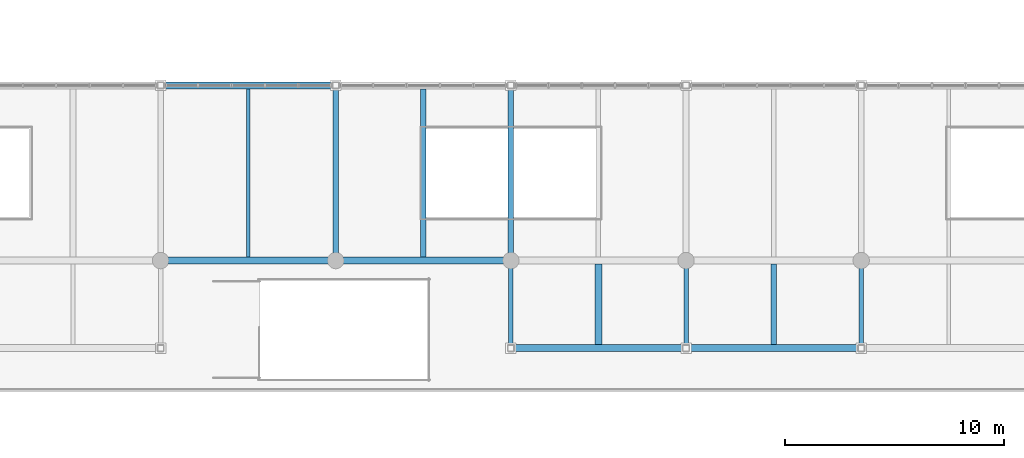
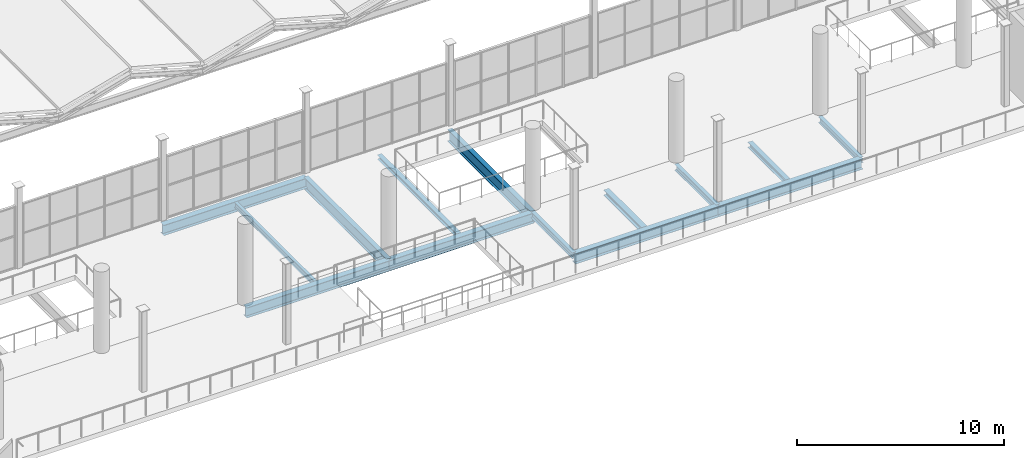
# One storey, part 37 of 114: 14 beams.
"""IFC4 building model written with IfcOpenShell, lengths in metres."""

from ifc_helpers import new_model, si_unit, direction, frame, origin, origin_2d, place, context, subcontext, project, spatial, i_section, extrude, material, material_profile, profile_set, type_object, element, save


model = new_model("IFC4")

# Units and contexts
model_context = context("Model", 3, precision=1e-05, world=origin(), true_north=direction((0.0, 1.0)))
body_context = subcontext(model_context, "Body", "Model", "MODEL_VIEW")
ifc_project = project(units=[si_unit("LENGTHUNIT", "METRE"), si_unit("AREAUNIT", "SQUARE_METRE"), si_unit("VOLUMEUNIT", "CUBIC_METRE"), si_unit("PLANEANGLEUNIT", "RADIAN"), si_unit("MASSUNIT", "GRAM", prefix="KILO")], contexts=[model_context])

# Site, building, storey
site_placement = place(None, origin())
site = spatial("IfcSite", under=ifc_project, at=site_placement, CompositionType="ELEMENT")
building_placement = place(site_placement, origin())
building = spatial("IfcBuilding", under=site, at=building_placement, Name="Verrall Gate Interchange", CompositionType="ELEMENT")
storey_placement = place(building_placement, frame((0.0, 0.0, 6.60009765625)))
storey = spatial("IfcBuildingStorey", under=building, at=storey_placement, Name="L02", CompositionType="ELEMENT", Elevation=6.60009765625)

# Beams
ifc_material_1 = material(Name="Structural Steel CSA G40.21 350WT Cat 4", Category="steel")
ifc_material_profile_1 = material_profile(ifc_material_1, i_section(OverallWidth=0.256103515625, OverallDepth=0.693115234375, WebThickness=0.01318359375, FlangeThickness=0.02001953125, FilletRadius=0.01611328125, at=origin_2d()), Name="W690x170")
ifc_profile_set_1 = profile_set([ifc_material_profile_1], Name="Structural Steel CSA G40.21 350WT Cat 4")
beam_type_1 = type_object("IfcBeamType", Name="B-07 Structural Beam W690x170", PredefinedType="BEAM", material=ifc_profile_set_1)
for number, where, z_axis, x_axis, name in (
    (1, (68.0, 48.0, -0.626708984375), (0.0, 1.0, 0.0), (-1.0, 0.0, 0.0), "L02 Girder BM-L02-1750 (B-07)"),
    (2, (76.0, 48.0, -0.626708984375), (0.0, 1.0, 0.0), (-1.0, 0.0, 0.0), "L02 Girder BM-L02-1755 (B-07)"),
):
    element("IfcBeam", number, at=place(storey_placement, frame(where, z_axis=z_axis, x_axis=x_axis)), inside=storey, type_object=beam_type_1, Name=name, PredefinedType="BEAM", context=body_context, shape_type="SweptSolid", body=[
        extrude(i_section(OverallWidth=0.256103515625, OverallDepth=0.693115234375, WebThickness=0.01318359375, FlangeThickness=0.02001953125, FilletRadius=0.01611328125, at=origin_2d()), origin(), (0.0, 0.0, 1.0), 8.0),
    ])
ifc_material_2 = material(Name="Structural Steel CSA G40.21 350WT Cat 4", Category="steel")
ifc_material_profile_2 = material_profile(ifc_material_2, i_section(OverallWidth=0.323974609375, OverallDepth=0.611083984375, WebThickness=0.0126953125, FlangeThickness=0.01904296875, FilletRadius=0.014892578125, at=origin_2d()), Name="W610x155")
ifc_profile_set_2 = profile_set([ifc_material_profile_2], Name="Structural Steel CSA G40.21 350WT Cat 4")
beam_type_2 = type_object("IfcBeamType", Name="B-08 Structural Beam W610x155", PredefinedType="BEAM", material=ifc_profile_set_2)
for number, where, z_axis, x_axis, name in (
    (3, (76.0, 44.0, -0.585693359375), (1.0, 0.0, 0.0), (0.0, 1.0, 0.0), "L02 Girder BM-L02-1554 (B-08)"),
    (4, (84.0, 44.0, -0.585693359375), (1.0, 0.0, 0.0), (0.0, 1.0, 0.0), "L02 Girder BM-L02-1555 (B-08)"),
    (5, (60.0, 48.0, -0.585693359375), (1.0, 0.0, 0.0), (0.0, 1.0, 0.0), "L02 Girder BM-L02-1573 (B-08)"),
    (6, (68.0, 48.0, -0.585693359375), (1.0, 0.0, 0.0), (0.0, 1.0, 0.0), "L02 Girder BM-L02-1574 (B-08)"),
    (7, (60.0, 56.0, -0.585693359375), (1.0, 0.0, 0.0), (0.0, 1.0, 0.0), "L02 Girder BM-L02-1595 (B-08)"),
):
    element("IfcBeam", number, at=place(storey_placement, frame(where, z_axis=z_axis, x_axis=x_axis)), inside=storey, type_object=beam_type_2, Name=name, PredefinedType="BEAM", context=body_context, shape_type="SweptSolid", body=[
        extrude(i_section(OverallWidth=0.323974609375, OverallDepth=0.611083984375, WebThickness=0.0126953125, FlangeThickness=0.01904296875, FilletRadius=0.014892578125, at=origin_2d()), origin(), (0.0, 0.0, 1.0), 8.0),
    ])
ifc_material_3 = material(Name="Structural Steel CSA G40.21 350W", Category="steel")
ifc_material_profile_3 = material_profile(ifc_material_3, i_section(OverallWidth=0.205078125, OverallDepth=0.35400390625, WebThickness=0.009521484375, FlangeThickness=0.016845703125, FilletRadius=0.012939453125, at=origin_2d()), Name="W360x79")
ifc_profile_set_3 = profile_set([ifc_material_profile_3], Name="Structural Steel CSA G40.21 350W")
beam_type_3 = type_object("IfcBeamType", Name="B-14 Structural Beam W360x79", PredefinedType="BEAM", material=ifc_profile_set_3)
for number, where, z_axis, x_axis, name in (
    (8, (76.0, 44.0, -0.45703125), (0.0, 1.0, 0.0), (-1.0, 0.0, 0.0), "L02 Girder BM-L02-1754 (B-14)"),
    (9, (84.0, 44.0, -0.45703125), (0.0, 1.0, 0.0), (-1.0, 0.0, 0.0), "L02 Girder BM-L02-1759 (B-14)"),
    (10, (92.0, 44.0, -0.45703125), (0.0, 1.0, 0.0), (-1.0, 0.0, 0.0), "L02 Girder BM-L02-1764 (B-14)"),
):
    element("IfcBeam", number, at=place(storey_placement, frame(where, z_axis=z_axis, x_axis=x_axis)), inside=storey, type_object=beam_type_3, Name=name, PredefinedType="BEAM", context=body_context, shape_type="SweptSolid", body=[
        extrude(i_section(OverallWidth=0.205078125, OverallDepth=0.35400390625, WebThickness=0.009521484375, FlangeThickness=0.016845703125, FilletRadius=0.012939453125, at=origin_2d()), origin(), (0.0, 0.0, 1.0), 4.0),
    ])
ifc_material_4 = material(Name="Structural Steel CSA G40.21 350W", Category="steel")
ifc_material_profile_4 = material_profile(ifc_material_4, i_section(OverallWidth=0.306884765625, OverallDepth=0.31396484375, WebThickness=0.011962890625, FlangeThickness=0.018798828125, FilletRadius=0.013916015625, at=origin_2d()), Name="W310x118")
ifc_profile_set_4 = profile_set([ifc_material_profile_4], Name="Structural Steel CSA G40.21 350W")
beam_type_4 = type_object("IfcBeamType", Name="J-02 Floor Joist W310x118", PredefinedType="JOIST", material=ifc_profile_set_4)
beam_1_placement = place(storey_placement, frame((80.0, 44.162109375, -0.43701171875), z_axis=(0.0, 1.0, 0.0), x_axis=(-1.0, 0.0, 0.0)))
element("IfcBeam", 11, at=beam_1_placement, inside=storey, type_object=beam_type_4, Name="L02 Secondary Floor Joist JST-L02-1931", PredefinedType="JOIST", context=body_context, shape_type="SweptSolid", body=[
    extrude(i_section(OverallWidth=0.306884765625, OverallDepth=0.31396484375, WebThickness=0.011962890625, FlangeThickness=0.018798828125, FilletRadius=0.013916015625, at=origin_2d()), origin(), (0.0, 0.0, 1.0), 3.67578125),
])
ifc_material_5 = material(Name="Structural Steel CSA G40.21 350W", Category="steel")
ifc_material_profile_5 = material_profile(ifc_material_5, i_section(OverallWidth=0.25390625, OverallDepth=0.305908203125, WebThickness=0.0087890625, FlangeThickness=0.0146484375, FilletRadius=0.012939453125, at=origin_2d()), Name="W310x79")
ifc_profile_set_5 = profile_set([ifc_material_profile_5], Name="Structural Steel CSA G40.21 350W")
beam_type_5 = type_object("IfcBeamType", Name="J-03 Floor Joist W310x79", PredefinedType="JOIST", material=ifc_profile_set_5)
beam_2_placement = place(storey_placement, frame((88.0, 44.162109375, -0.43310546875), z_axis=(0.0, 1.0, 0.0), x_axis=(-1.0, 0.0, 0.0)))
element("IfcBeam", 12, at=beam_2_placement, inside=storey, type_object=beam_type_5, Name="L02 Secondary Floor Joist JST-L02-1932", PredefinedType="JOIST", context=body_context, shape_type="SweptSolid", body=[
    extrude(i_section(OverallWidth=0.25390625, OverallDepth=0.305908203125, WebThickness=0.0087890625, FlangeThickness=0.0146484375, FilletRadius=0.012939453125, at=origin_2d()), origin(), (0.0, 0.0, 1.0), 3.67578125),
])
ifc_material_6 = material(Name="Structural Steel CSA G40.21 350W", Category="steel")
ifc_material_profile_6 = material_profile(ifc_material_6, i_section(OverallWidth=0.1650390625, OverallDepth=0.31005859375, WebThickness=0.005859375, FlangeThickness=0.009765625, FilletRadius=0.010009765625, at=origin_2d()), Name="W310x39")
ifc_profile_set_6 = profile_set([ifc_material_profile_6], Name="Structural Steel CSA G40.21 350W")
beam_type_6 = type_object("IfcBeamType", Name="J-04 Floor Joist W310x39", PredefinedType="JOIST", material=ifc_profile_set_6)
beam_3_placement = place(storey_placement, frame((64.0, 48.162109375, -0.43505859375), z_axis=(0.0, 1.0, 0.0), x_axis=(-1.0, 0.0, 0.0)))
element("IfcBeam", 13, at=beam_3_placement, inside=storey, type_object=beam_type_6, Name="L02 Secondary Floor Joist JST-L02-1946", PredefinedType="JOIST", context=body_context, shape_type="SweptSolid", body=[
    extrude(i_section(OverallWidth=0.1650390625, OverallDepth=0.31005859375, WebThickness=0.005859375, FlangeThickness=0.009765625, FilletRadius=0.010009765625, at=origin_2d()), origin(), (0.0, 0.0, 1.0), 7.67578125),
])
ifc_material_7 = material(Name="Structural Steel CSA G40.21 350W", Category="steel")
ifc_material_profile_7 = material_profile(ifc_material_7, i_section(OverallWidth=0.25390625, OverallDepth=0.2529296875, WebThickness=0.008544921875, FlangeThickness=0.01416015625, FilletRadius=0.011962890625, at=origin_2d()), Name="W250x73")
ifc_profile_set_7 = profile_set([ifc_material_profile_7], Name="Structural Steel CSA G40.21 350W")
beam_type_7 = type_object("IfcBeamType", Name="J-05 Floor Joist W250x73", PredefinedType="JOIST", material=ifc_profile_set_7)
beam_4_placement = place(storey_placement, frame((72.0, 48.162109375, -0.406494140625), z_axis=(0.0, 1.0, 0.0), x_axis=(-1.0, 0.0, 0.0)))
element("IfcBeam", 14, at=beam_4_placement, inside=storey, type_object=beam_type_7, Name="L02 Secondary Floor Joist JST-L02-1947", PredefinedType="JOIST", context=body_context, shape_type="SweptSolid", body=[
    extrude(i_section(OverallWidth=0.25390625, OverallDepth=0.2529296875, WebThickness=0.008544921875, FlangeThickness=0.01416015625, FilletRadius=0.011962890625, at=origin_2d()), origin(), (0.0, 0.0, 1.0), 7.67578125),
])

save(model, "model.ifc")
